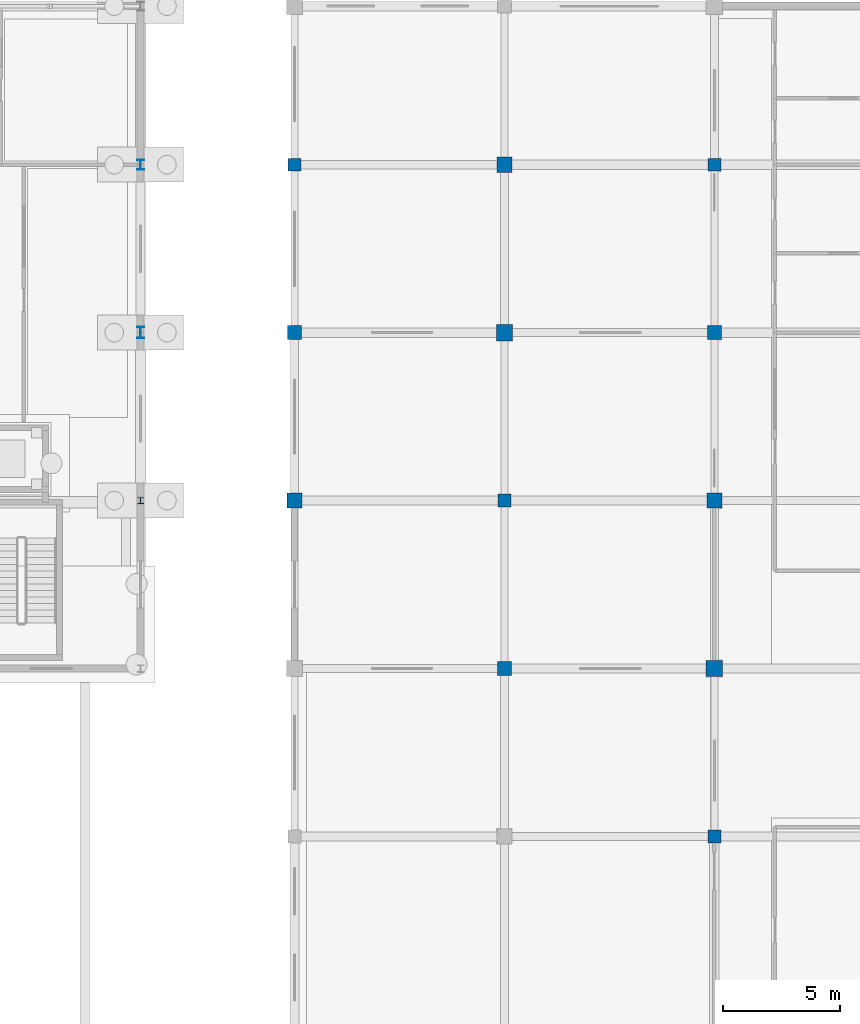
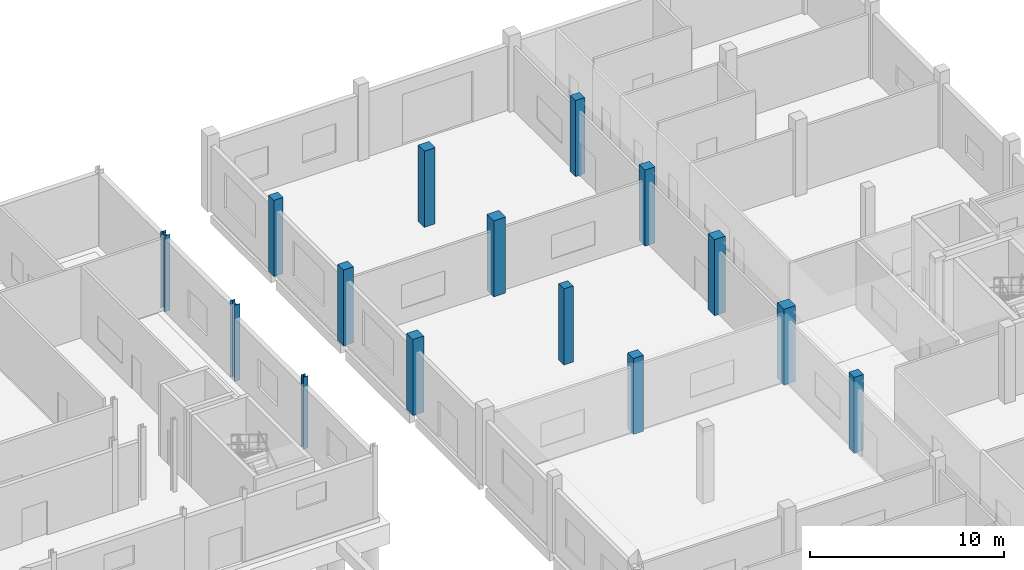
# One storey, part 21 of 91: 15 columns.
"""IFC4 building model written with IfcOpenShell, lengths in metres."""

from ifc_helpers import new_model, si_unit, direction, frame, origin, origin_2d, place, context, subcontext, project, spatial, rectangle, i_section, extrude, material, material_profile, profile_set, type_object, element, save


model = new_model("IFC4")

# Units and contexts
model_context = context("Model", 3, precision=1e-05, world=origin(), true_north=direction((0.0, 1.0)))
body_context = subcontext(model_context, "Body", "Model", "MODEL_VIEW")
ifc_project = project(units=[si_unit("LENGTHUNIT", "METRE"), si_unit("AREAUNIT", "SQUARE_METRE"), si_unit("VOLUMEUNIT", "CUBIC_METRE"), si_unit("PLANEANGLEUNIT", "RADIAN"), si_unit("MASSUNIT", "GRAM", prefix="KILO")], contexts=[model_context])

# Site, building, storey
site_placement = place(None, origin())
site = spatial("IfcSite", under=ifc_project, at=site_placement, CompositionType="ELEMENT")
building_placement = place(site_placement, origin())
building = spatial("IfcBuilding", under=site, at=building_placement, Name="Vinh Khe Railworks Police Headquarters", CompositionType="ELEMENT")
storey_placement = place(building_placement, origin())
storey = spatial("IfcBuildingStorey", under=building, at=storey_placement, Name="L00", CompositionType="ELEMENT", Elevation=0.0)

# Columns
ifc_material_1 = material(Name="Concrete C40/50 (B40)", Category="concrete")
ifc_material_profile_1 = material_profile(ifc_material_1, rectangle(XDim=0.550048828125, YDim=0.550048828125, at=origin_2d()), Name="RC 550x550")
ifc_profile_set_1 = profile_set([ifc_material_profile_1], Name="Concrete C40/50 (B40)")
column_type_1 = type_object("IfcColumnType", Name="RC Column RC 550x550", PredefinedType="COLUMN", material=ifc_profile_set_1)
for number, where, z_axis, x_axis, name in (
    (1, (78.0, 159.60009765625, 0.0), (0.0, 0.0, 1.0), (1.0, 0.0, 0.0), "Column COL-L00-CC-06-1199"),
    (2, (87.0, 145.199951171875, 0.0), (0.0, 0.0, 1.0), (1.0, 0.0, 0.0), "Column COL-L00-CC-06-1246"),
    (3, (96.0, 130.800048828125, 0.0), (0.0, 0.0, 1.0), (1.0, 0.0, 0.0), "Column COL-L00-CC-06-1293"),
    (4, (96.0, 159.60009765625, 0.0), (0.0, 0.0, 1.0), (1.0, 0.0, 0.0), "Column COL-L00-CC-06-1321"),
):
    element("IfcColumn", number, at=place(storey_placement, frame(where, z_axis=z_axis, x_axis=x_axis)), inside=storey, type_object=column_type_1, Name=name, PredefinedType="COLUMN", context=body_context, shape_type="SweptSolid", body=[
        extrude(rectangle(XDim=0.550048828125, YDim=0.550048828125, at=origin_2d()), origin(), (0.0, 0.0, 1.0), 4.800048828125),
    ])
ifc_material_profile_2 = material_profile(ifc_material_1, rectangle(XDim=0.60009765625, YDim=0.60009765625, at=origin_2d()), Name="RC 600x600")
ifc_profile_set_2 = profile_set([ifc_material_profile_2], Name="Concrete C40/50 (B40)")
column_type_2 = type_object("IfcColumnType", Name="RC Column RC 600x600", PredefinedType="COLUMN", material=ifc_profile_set_2)
for number, where, z_axis, x_axis, name in (
    (5, (78.0, 152.39990234375, 0.0), (0.0, 0.0, 1.0), (1.0, 0.0, 0.0), "Column COL-L00-CC-05-1192"),
    (6, (87.0, 138.0, 0.0), (0.0, 0.0, 1.0), (1.0, 0.0, 0.0), "Column COL-L00-CC-05-1239"),
    (7, (96.0, 152.39990234375, 0.0), (0.0, 0.0, 1.0), (1.0, 0.0, 0.0), "Column COL-L00-CC-05-1314"),
):
    element("IfcColumn", number, at=place(storey_placement, frame(where, z_axis=z_axis, x_axis=x_axis)), inside=storey, type_object=column_type_2, Name=name, PredefinedType="COLUMN", context=body_context, shape_type="SweptSolid", body=[
        extrude(rectangle(XDim=0.60009765625, YDim=0.60009765625, at=origin_2d()), origin(), (0.0, 0.0, 1.0), 4.800048828125),
    ])
ifc_material_profile_3 = material_profile(ifc_material_1, rectangle(XDim=0.64990234375, YDim=0.64990234375, at=origin_2d()), Name="RC 650x650")
ifc_profile_set_3 = profile_set([ifc_material_profile_3], Name="Concrete C40/50 (B40)")
column_type_3 = type_object("IfcColumnType", Name="RC Column RC 650x650", PredefinedType="COLUMN", material=ifc_profile_set_3)
for number, where, z_axis, x_axis, name in (
    (8, (78.0, 145.199951171875, 0.0), (0.0, 0.0, 1.0), (1.0, 0.0, 0.0), "Column COL-L00-CC-04-1185"),
    (9, (87.0, 159.60009765625, 0.0), (0.0, 0.0, 1.0), (1.0, 0.0, 0.0), "Column COL-L00-CC-04-1260"),
    (10, (96.0, 145.199951171875, 0.0), (0.0, 0.0, 1.0), (1.0, 0.0, 0.0), "Column COL-L00-CC-04-1307"),
):
    element("IfcColumn", number, at=place(storey_placement, frame(where, z_axis=z_axis, x_axis=x_axis)), inside=storey, type_object=column_type_3, Name=name, PredefinedType="COLUMN", context=body_context, shape_type="SweptSolid", body=[
        extrude(rectangle(XDim=0.64990234375, YDim=0.64990234375, at=origin_2d()), origin(), (0.0, 0.0, 1.0), 4.800048828125),
    ])
ifc_material_profile_4 = material_profile(ifc_material_1, rectangle(XDim=0.699951171875, YDim=0.699951171875, at=origin_2d()), Name="RC 700x700")
ifc_profile_set_4 = profile_set([ifc_material_profile_4], Name="Concrete C40/50 (B40)")
column_type_4 = type_object("IfcColumnType", Name="RC Column RC 700x700", PredefinedType="COLUMN", material=ifc_profile_set_4)
for number, where, z_axis, x_axis, name in (
    (11, (87.0, 152.39990234375, 0.0), (0.0, 0.0, 1.0), (1.0, 0.0, 0.0), "Column COL-L00-CC-03-1253"),
    (12, (96.0, 138.0, 0.0), (0.0, 0.0, 1.0), (1.0, 0.0, 0.0), "Column COL-L00-CC-03-1300"),
):
    element("IfcColumn", number, at=place(storey_placement, frame(where, z_axis=z_axis, x_axis=x_axis)), inside=storey, type_object=column_type_4, Name=name, PredefinedType="COLUMN", context=body_context, shape_type="SweptSolid", body=[
        extrude(rectangle(XDim=0.699951171875, YDim=0.699951171875, at=origin_2d()), origin(), (0.0, 0.0, 1.0), 4.800048828125),
    ])
ifc_material_2 = material(Name="Steel S355JR", Category="steel")
ifc_material_profile_5 = material_profile(ifc_material_2, i_section(OverallWidth=0.300048828125, OverallDepth=0.43994140625, WebThickness=0.011474609375, FlangeThickness=0.02099609375, FilletRadius=0.027099609375, at=origin_2d()), Name="HEA 450")
ifc_profile_set_5 = profile_set([ifc_material_profile_5], Name="Steel S355JR")
column_type_5 = type_object("IfcColumnType", Name="Steel Column HEA 450", PredefinedType="COLUMN", material=ifc_profile_set_5)
column_1_placement = place(storey_placement, frame((71.39990234375, 159.60009765625, 0.0), z_axis=(0.0, 0.0, 1.0), x_axis=(1.0, 0.0, 0.0)))
element("IfcColumn", 13, at=column_1_placement, inside=storey, type_object=column_type_5, Name="Column COL-L00-SC-14-1147", PredefinedType="COLUMN", context=body_context, shape_type="SweptSolid", body=[
    extrude(i_section(OverallWidth=0.300048828125, OverallDepth=0.43994140625, WebThickness=0.011474609375, FlangeThickness=0.02099609375, FilletRadius=0.027099609375, at=origin_2d()), origin(), (0.0, 0.0, 1.0), 4.800048828125),
])
ifc_material_profile_6 = material_profile(ifc_material_2, i_section(OverallWidth=0.300048828125, OverallDepth=0.489990234375, WebThickness=0.011962890625, FlangeThickness=0.02294921875, FilletRadius=0.027099609375, at=origin_2d()), Name="HEA 500")
ifc_profile_set_6 = profile_set([ifc_material_profile_6], Name="Steel S355JR")
column_type_6 = type_object("IfcColumnType", Name="Steel Column HEA 500", PredefinedType="COLUMN", material=ifc_profile_set_6)
column_2_placement = place(storey_placement, frame((71.39990234375, 152.39990234375, 0.0), z_axis=(0.0, 0.0, 1.0), x_axis=(1.0, 0.0, 0.0)))
element("IfcColumn", 14, at=column_2_placement, inside=storey, type_object=column_type_6, Name="Column COL-L00-SC-13-1145", PredefinedType="COLUMN", context=body_context, shape_type="SweptSolid", body=[
    extrude(i_section(OverallWidth=0.300048828125, OverallDepth=0.489990234375, WebThickness=0.011962890625, FlangeThickness=0.02294921875, FilletRadius=0.027099609375, at=origin_2d()), origin(), (0.0, 0.0, 1.0), 4.800048828125),
])
ifc_material_profile_7 = material_profile(ifc_material_2, i_section(OverallWidth=0.260009765625, OverallDepth=0.260009765625, WebThickness=0.010009765625, FlangeThickness=0.017578125, FilletRadius=0.02392578125, at=origin_2d()), Name="HEB 260")
ifc_profile_set_7 = profile_set([ifc_material_profile_7], Name="Steel S355JR")
column_type_7 = type_object("IfcColumnType", Name="Steel Column HEB 260", PredefinedType="COLUMN", material=ifc_profile_set_7)
column_3_placement = place(storey_placement, frame((71.39990234375, 145.199951171875, 0.0), z_axis=(0.0, 0.0, 1.0), x_axis=(1.0, 0.0, 0.0)))
element("IfcColumn", 15, at=column_3_placement, inside=storey, type_object=column_type_7, Name="Column COL-L00-SC-12-1143", PredefinedType="COLUMN", context=body_context, shape_type="SweptSolid", body=[
    extrude(i_section(OverallWidth=0.260009765625, OverallDepth=0.260009765625, WebThickness=0.010009765625, FlangeThickness=0.017578125, FilletRadius=0.02392578125, at=origin_2d()), origin(), (0.0, 0.0, 1.0), 4.56005859375),
])

save(model, "model.ifc")
